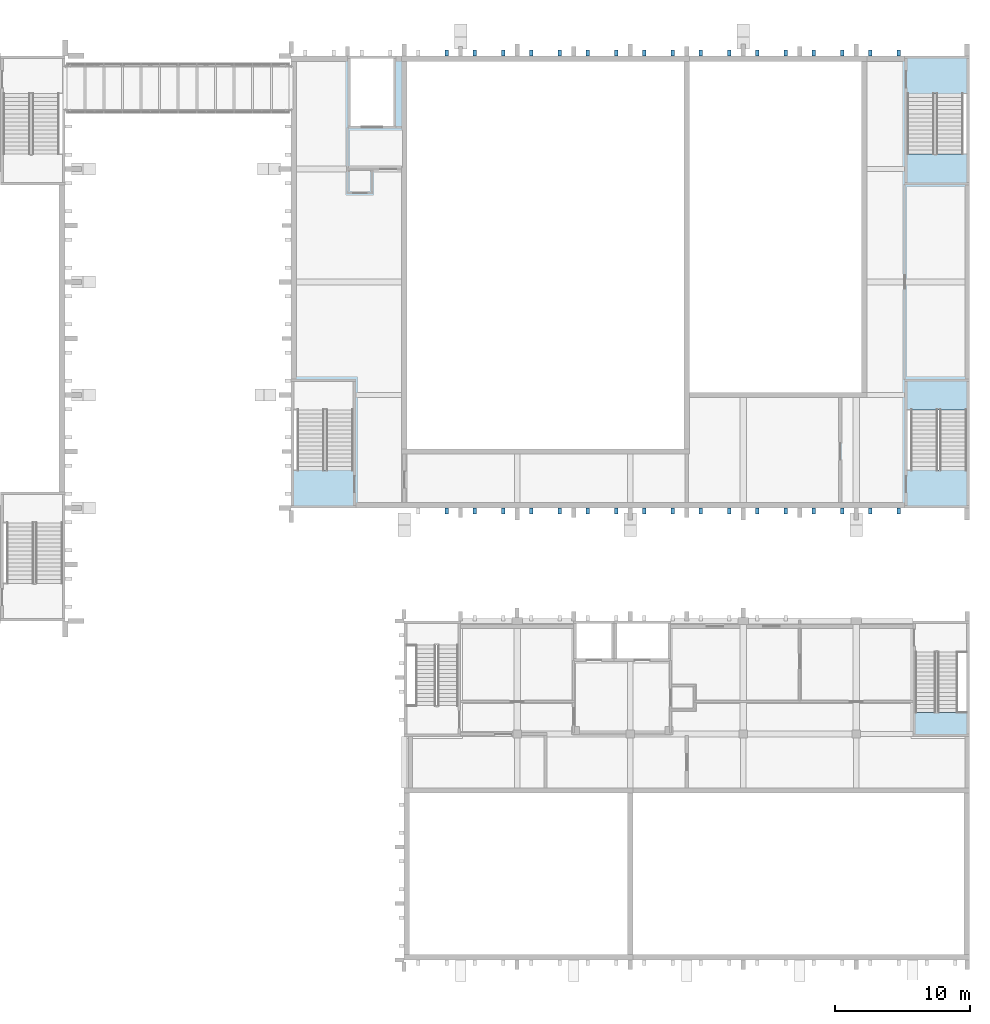
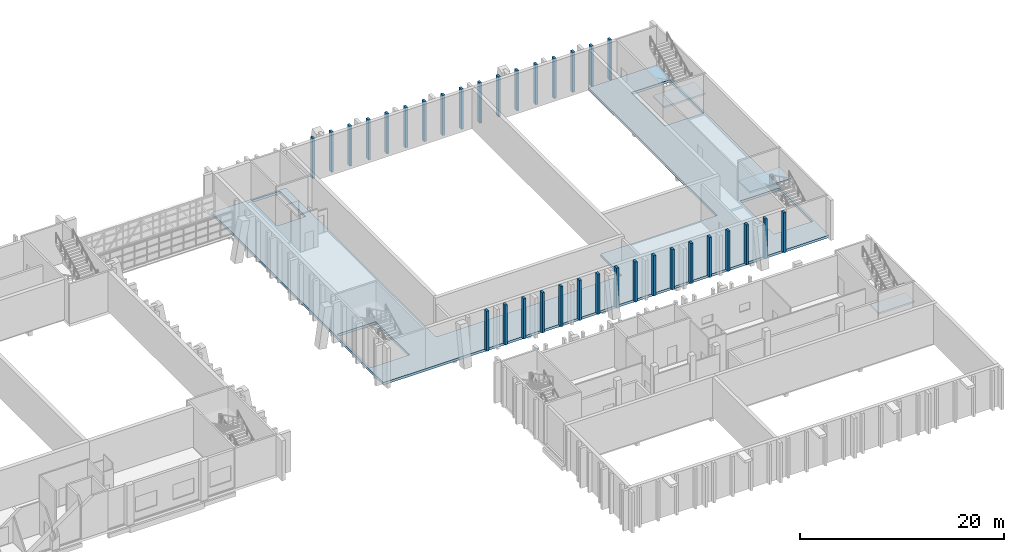
# One storey, part 27 of 91: 34 plates, 4 slabs, 3 elements without a shape of their own.
"""IFC4 building model written with IfcOpenShell, lengths in metres."""

from ifc_helpers import new_model, si_unit, direction, frame, origin, origin_2d, place, context, subcontext, project, spatial, polyline, rectangle, outline, extrude, material, layer, layer_set, type_object, element, aggregate, save


model = new_model("IFC4")

# Units and contexts
model_context = context("Model", 3, precision=1e-05, world=origin(), true_north=direction((0.0, 1.0)))
body_context = subcontext(model_context, "Body", "Model", "MODEL_VIEW")
ifc_project = project(units=[si_unit("LENGTHUNIT", "METRE"), si_unit("AREAUNIT", "SQUARE_METRE"), si_unit("VOLUMEUNIT", "CUBIC_METRE"), si_unit("PLANEANGLEUNIT", "RADIAN"), si_unit("MASSUNIT", "GRAM", prefix="KILO")], contexts=[model_context])

# Site, building, storey
site_placement = place(None, origin())
site = spatial("IfcSite", under=ifc_project, at=site_placement, CompositionType="ELEMENT")
building_placement = place(site_placement, origin())
building = spatial("IfcBuilding", under=site, at=building_placement, Name="Kiln Court Media Centre", CompositionType="ELEMENT")
storey_placement = place(building_placement, frame((0.0, 0.0, 5.39990234375)))
storey = spatial("IfcBuildingStorey", under=building, at=storey_placement, Name="L01", CompositionType="ELEMENT", Elevation=5.39990234375)

# Slab
ifc_material_1 = material(Name="Concrete C30/37", Category="concrete")
ifc_layer_1 = layer(ifc_material_1, 0.300048828125)
ifc_layer_set_1 = layer_set([ifc_layer_1], Name="Concrete C30/37 floor slab 300")
slab_type_1 = type_object("IfcSlabType", Name="Concrete C30/37 floor slab 300", PredefinedType="FLOOR", material=ifc_layer_set_1)
slab_1_placement = place(storey_placement, frame((0.0, 0.0, -0.2998046875)))
element("IfcSlab", 1, at=slab_1_placement, inside=storey, type_object=slab_type_1, Name="L01-SL-1007", PredefinedType="FLOOR", context=body_context, shape_type="SweptSolid", body=[
    extrude(outline(polyline([(117.60009765625, 33.60009765625), (117.60009765625, 67.199951171875), (126.0, 67.199951171875), (126.0, 37.800048828125), (147.0, 37.800048828125), (147.0, 42.0), (160.199951171875, 42.0), (160.199951171875, 67.199951171875), (168.0, 67.199951171875), (168.0, 33.60009765625), (117.60009765625, 33.60009765625)]), holes=[polyline([(117.800048828125, 36.43994140625), (122.199951171875, 36.43994140625), (122.199951171875, 43.0), (117.800048828125, 43.0), (117.800048828125, 36.43994140625)]), polyline([(163.39990234375, 36.43994140625), (167.800048828125, 36.43994140625), (167.800048828125, 43.0), (163.39990234375, 43.0), (163.39990234375, 36.43994140625)]), polyline([(163.39990234375, 57.800048828125), (167.800048828125, 57.800048828125), (167.800048828125, 64.360107421875), (163.39990234375, 64.360107421875), (163.39990234375, 57.800048828125)]), polyline([(122.0, 62.0), (125.199951171875, 62.0), (125.199951171875, 67.0), (122.0, 67.0), (122.0, 62.0)])]), origin(), (0.0, 0.0, 1.0), 0.2998046875),
])

# Plates
ifc_material_2 = material(Name="Concrete C40/50", Category="concrete")
ifc_layer_2 = layer(ifc_material_2, 0.25)
ifc_layer_set_2 = layer_set([ifc_layer_2], Name="Concrete C40/50 shading fin 250")
plate_type = type_object("IfcPlateType", Name="Concrete C40/50 shading fin 250", PredefinedType="SHEET", material=ifc_layer_set_2)
for number, where, z_axis, x_axis, name in (
    (2, (129.14990234375, 33.375, 0.0), (0.0, 0.0, 1.0), (1.0, 0.0, 0.0), "V2 S fin L01"),
    (3, (131.25, 33.375, 0.0), (0.0, 0.0, 1.0), (1.0, 0.0, 0.0), "V2 S fin L01"),
    (4, (133.35009765625, 33.375, 0.0), (0.0, 0.0, 1.0), (1.0, 0.0, 0.0), "V2 S fin L01"),
    (5, (135.449951171875, 33.375, 0.0), (0.0, 0.0, 1.0), (1.0, 0.0, 0.0), "V2 S fin L01"),
    (6, (137.550048828125, 33.375, 0.0), (0.0, 0.0, 1.0), (1.0, 0.0, 0.0), "V2 S fin L01"),
    (7, (139.64990234375, 33.375, 0.0), (0.0, 0.0, 1.0), (1.0, 0.0, 0.0), "V2 S fin L01"),
    (8, (141.75, 33.375, 0.0), (0.0, 0.0, 1.0), (1.0, 0.0, 0.0), "V2 S fin L01"),
    (9, (143.85009765625, 33.375, 0.0), (0.0, 0.0, 1.0), (1.0, 0.0, 0.0), "V2 S fin L01"),
    (10, (145.949951171875, 33.375, 0.0), (0.0, 0.0, 1.0), (1.0, 0.0, 0.0), "V2 S fin L01"),
    (11, (148.050048828125, 33.375, 0.0), (0.0, 0.0, 1.0), (1.0, 0.0, 0.0), "V2 S fin L01"),
    (12, (150.14990234375, 33.375, 0.0), (0.0, 0.0, 1.0), (1.0, 0.0, 0.0), "V2 S fin L01"),
    (13, (152.25, 33.375, 0.0), (0.0, 0.0, 1.0), (1.0, 0.0, 0.0), "V2 S fin L01"),
    (14, (154.35009765625, 33.375, 0.0), (0.0, 0.0, 1.0), (1.0, 0.0, 0.0), "V2 S fin L01"),
    (15, (156.449951171875, 33.375, 0.0), (0.0, 0.0, 1.0), (1.0, 0.0, 0.0), "V2 S fin L01"),
    (16, (158.550048828125, 33.375, 0.0), (0.0, 0.0, 1.0), (1.0, 0.0, 0.0), "V2 S fin L01"),
    (17, (160.64990234375, 33.375, 0.0), (0.0, 0.0, 1.0), (1.0, 0.0, 0.0), "V2 S fin L01"),
    (18, (162.75, 33.375, 0.0), (0.0, 0.0, 1.0), (1.0, 0.0, 0.0), "V2 S fin L01"),
    (19, (129.14990234375, 67.425048828125, 0.0), (0.0, 0.0, 1.0), (1.0, 0.0, 0.0), "V2 N fin L01"),
    (20, (131.25, 67.425048828125, 0.0), (0.0, 0.0, 1.0), (1.0, 0.0, 0.0), "V2 N fin L01"),
    (21, (133.35009765625, 67.425048828125, 0.0), (0.0, 0.0, 1.0), (1.0, 0.0, 0.0), "V2 N fin L01"),
    (22, (135.449951171875, 67.425048828125, 0.0), (0.0, 0.0, 1.0), (1.0, 0.0, 0.0), "V2 N fin L01"),
    (23, (137.550048828125, 67.425048828125, 0.0), (0.0, 0.0, 1.0), (1.0, 0.0, 0.0), "V2 N fin L01"),
    (24, (139.64990234375, 67.425048828125, 0.0), (0.0, 0.0, 1.0), (1.0, 0.0, 0.0), "V2 N fin L01"),
    (25, (141.75, 67.425048828125, 0.0), (0.0, 0.0, 1.0), (1.0, 0.0, 0.0), "V2 N fin L01"),
    (26, (143.85009765625, 67.425048828125, 0.0), (0.0, 0.0, 1.0), (1.0, 0.0, 0.0), "V2 N fin L01"),
    (27, (145.949951171875, 67.425048828125, 0.0), (0.0, 0.0, 1.0), (1.0, 0.0, 0.0), "V2 N fin L01"),
    (28, (148.050048828125, 67.425048828125, 0.0), (0.0, 0.0, 1.0), (1.0, 0.0, 0.0), "V2 N fin L01"),
    (29, (150.14990234375, 67.425048828125, 0.0), (0.0, 0.0, 1.0), (1.0, 0.0, 0.0), "V2 N fin L01"),
    (30, (152.25, 67.425048828125, 0.0), (0.0, 0.0, 1.0), (1.0, 0.0, 0.0), "V2 N fin L01"),
    (31, (154.35009765625, 67.425048828125, 0.0), (0.0, 0.0, 1.0), (1.0, 0.0, 0.0), "V2 N fin L01"),
    (32, (156.449951171875, 67.425048828125, 0.0), (0.0, 0.0, 1.0), (1.0, 0.0, 0.0), "V2 N fin L01"),
    (33, (158.550048828125, 67.425048828125, 0.0), (0.0, 0.0, 1.0), (1.0, 0.0, 0.0), "V2 N fin L01"),
    (34, (160.64990234375, 67.425048828125, 0.0), (0.0, 0.0, 1.0), (1.0, 0.0, 0.0), "V2 N fin L01"),
    (35, (162.75, 67.425048828125, 0.0), (0.0, 0.0, 1.0), (1.0, 0.0, 0.0), "V2 N fin L01"),
):
    element("IfcPlate", number, at=place(storey_placement, frame(where, z_axis=z_axis, x_axis=x_axis)), inside=storey, type_object=plate_type, Name=name, PredefinedType="SHEET", context=body_context, shape_type="SweptSolid", body=[
        extrude(rectangle(XDim=0.25, YDim=0.449951171875, at=origin_2d()), origin(), (0.0, 0.0, 1.0), 4.800048828125),
    ])

# Stair, slab
ifc_material_3 = material(Name="Concrete C40/50", Category="concrete")
stair_type_1 = type_object("IfcStairType", Name="Concrete C40/50 dog-leg stair 2000 wide, 150 riser", PredefinedType="HALF_TURN_STAIR", material=ifc_material_3)
stair_1_placement = place(storey_placement, origin())
stair_1 = element("IfcStair", 36, at=stair_1_placement, inside=storey, type_object=stair_type_1, Name="ST-14 L01", PredefinedType="HALF_TURN_STAIR")
ifc_material_4 = material(Name="Concrete C40/50", Category="concrete")
ifc_layer_3 = layer(ifc_material_4, 0.199951171875)
ifc_layer_set_3 = layer_set([ifc_layer_3], Name="Concrete C40/50 stair landing 200")
slab_type_2 = type_object("IfcSlabType", Name="Concrete C40/50 stair landing 200", PredefinedType="LANDING", material=ifc_layer_set_3)
slab_2_placement = place(storey_placement, frame((0.0, 0.0, 2.2001953125)))
slab_2 = element("IfcSlab", 37, at=slab_2_placement, type_object=slab_type_2, Name="L01-ST-5013 landing 5013", PredefinedType="LANDING", context=body_context, shape_type="SweptSolid", body=[
    extrude(outline(polyline([(167.919921875, 40.89990234375), (167.919921875, 43.1201171875), (163.280029296875, 43.1201171875), (163.280029296875, 40.89990234375), (167.919921875, 40.89990234375)])), origin(), (0.0, 0.0, 1.0), 0.199951171875),
])
aggregate(stair_1, [slab_2])

stair_2_placement = place(storey_placement, origin())
stair_2 = element("IfcStair", 38, at=stair_2_placement, inside=storey, type_object=stair_type_1, Name="ST-15 L01", PredefinedType="HALF_TURN_STAIR")
slab_3_placement = place(storey_placement, frame((0.0, 0.0, 2.2001953125)))
slab_3 = element("IfcSlab", 39, at=slab_3_placement, type_object=slab_type_2, Name="L01-ST-5014 landing 5014", PredefinedType="LANDING", context=body_context, shape_type="SweptSolid", body=[
    extrude(outline(polyline([(163.280029296875, 59.89990234375), (163.280029296875, 57.679931640625), (167.919921875, 57.679931640625), (167.919921875, 59.89990234375), (163.280029296875, 59.89990234375)])), origin(), (0.0, 0.0, 1.0), 0.199951171875),
])
aggregate(stair_2, [slab_3])

ifc_material_5 = material(Name="Concrete C40/50", Category="concrete")
stair_type_2 = type_object("IfcStairType", Name="Concrete C40/50 dog-leg stair 1500 wide, 150 riser", PredefinedType="HALF_TURN_STAIR", material=ifc_material_5)
stair_3_placement = place(storey_placement, origin())
stair_3 = element("IfcStair", 40, at=stair_3_placement, inside=storey, type_object=stair_type_2, Name="ST-17 L01", PredefinedType="HALF_TURN_STAIR")
slab_4_placement = place(storey_placement, frame((0.0, 0.0, 2.2001953125)))
slab_4 = element("IfcSlab", 41, at=slab_4_placement, type_object=slab_type_2, Name="L01-ST-5016 landing 5016", PredefinedType="LANDING", context=body_context, shape_type="SweptSolid", body=[
    extrude(outline(polyline([(163.8798828125, 18.39990234375), (163.8798828125, 16.679931640625), (167.919921875, 16.679931640625), (167.919921875, 18.39990234375), (163.8798828125, 18.39990234375)])), origin(), (0.0, 0.0, 1.0), 0.199951171875),
])
aggregate(stair_3, [slab_4])

save(model, "model.ifc")
